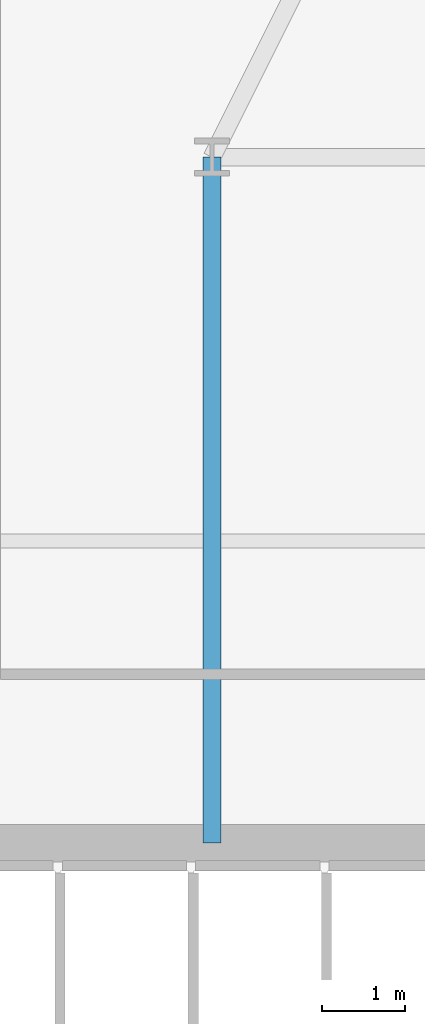
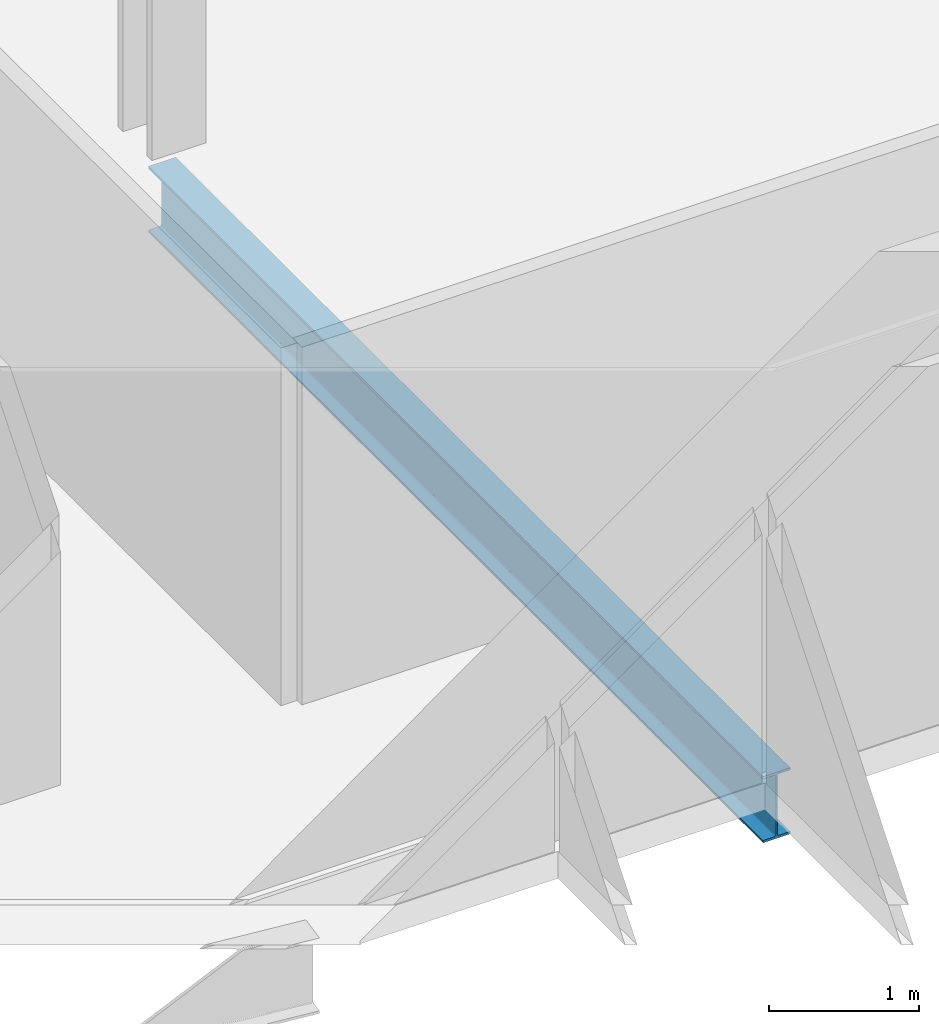
# One storey, part 6 of 32: 1 beam.
"""IFC4 building model written with IfcOpenShell, lengths in metres."""

from ifc_helpers import new_model, si_unit, direction, frame, origin, origin_2d, place, context, subcontext, project, spatial, i_section, extrude, material, material_profile, profile_set, type_object, element, save


model = new_model("IFC4")

# Units and contexts
model_context = context("Model", 3, precision=1e-05, world=origin(), true_north=direction((0.0, 1.0)))
body_context = subcontext(model_context, "Body", "Model", "MODEL_VIEW")
ifc_project = project(units=[si_unit("LENGTHUNIT", "METRE"), si_unit("AREAUNIT", "SQUARE_METRE"), si_unit("VOLUMEUNIT", "CUBIC_METRE"), si_unit("PLANEANGLEUNIT", "RADIAN"), si_unit("MASSUNIT", "GRAM", prefix="KILO")], contexts=[model_context])

# Site, building, storey
site_placement = place(None, origin())
site = spatial("IfcSite", under=ifc_project, at=site_placement, CompositionType="ELEMENT")
building_placement = place(site_placement, origin())
building = spatial("IfcBuilding", under=site, at=building_placement, Name="Ndaravel Arena Tower", CompositionType="ELEMENT")
storey_placement = place(building_placement, frame((0.0, 0.0, 66.39990234375)))
storey = spatial("IfcBuildingStorey", under=building, at=storey_placement, Name="L14", CompositionType="ELEMENT", Elevation=66.39990234375)

# Beam
ifc_material = material(Name="Steel S355", Category="steel")
ifc_material_profile = material_profile(ifc_material, i_section(OverallWidth=0.210693359375, OverallDepth=0.53955078125, WebThickness=0.01171875, FlangeThickness=0.018798828125, FilletRadius=0.0126953125, at=origin_2d()), Name="UB 533x210x109")
ifc_profile_set = profile_set([ifc_material_profile], Name="Steel S355")
beam_type = type_object("IfcBeamType", Name="BM-GIRD-UB533", PredefinedType="BEAM", material=ifc_profile_set)
beam_placement = place(storey_placement, frame((34.199951171875, 14.97998046875, -0.489501953125), z_axis=(0.0, 1.0, 0.0), x_axis=(-1.0, 0.0, 0.0)))
element("IfcBeam", 1, at=beam_placement, inside=storey, type_object=beam_type, Name="L14 Spine Link Girder SLG-01", PredefinedType="BEAM", context=body_context, shape_type="SweptSolid", body=[
    extrude(i_section(OverallWidth=0.210693359375, OverallDepth=0.53955078125, WebThickness=0.01171875, FlangeThickness=0.018798828125, FilletRadius=0.0126953125, at=origin_2d()), origin(), (0.0, 0.0, 1.0), 8.219970703125),
])

save(model, "model.ifc")
